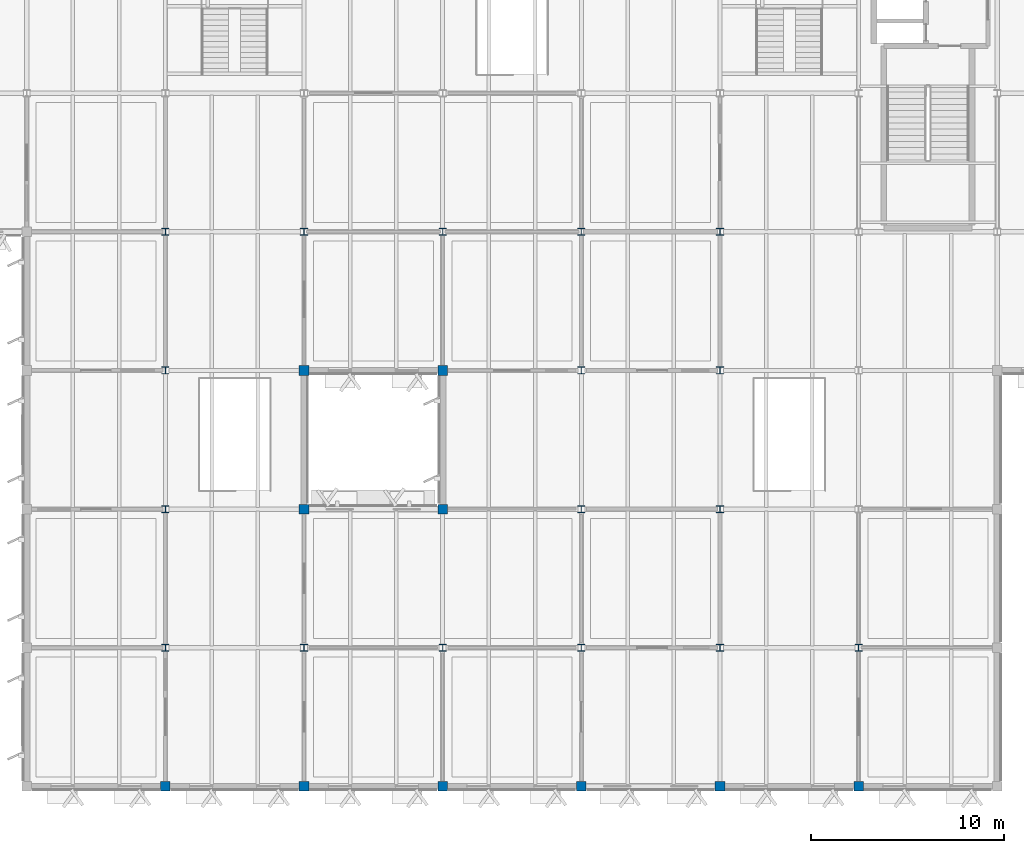
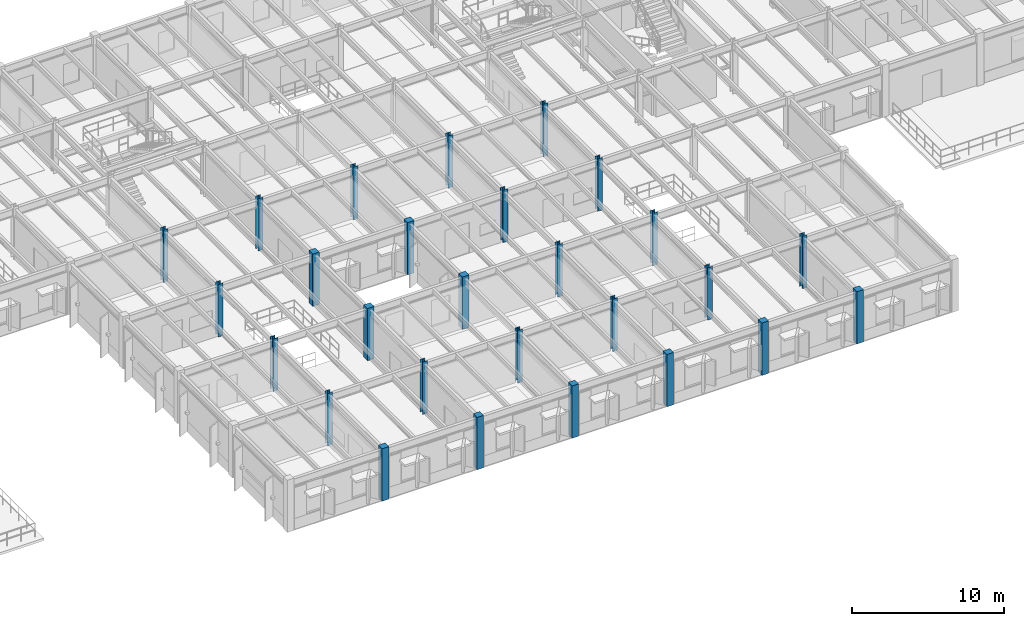
# One storey, part 5 of 85: 27 columns.
"""IFC4 building model written with IfcOpenShell, lengths in metres."""

from ifc_helpers import new_model, si_unit, direction, frame, origin, origin_2d, place, context, subcontext, project, spatial, rectangle, i_section, extrude, material, material_profile, profile_set, type_object, element, save


model = new_model("IFC4")

# Units and contexts
model_context = context("Model", 3, precision=1e-05, world=origin(), true_north=direction((0.0, 1.0)))
body_context = subcontext(model_context, "Body", "Model", "MODEL_VIEW")
ifc_project = project(units=[si_unit("LENGTHUNIT", "METRE"), si_unit("AREAUNIT", "SQUARE_METRE"), si_unit("VOLUMEUNIT", "CUBIC_METRE"), si_unit("PLANEANGLEUNIT", "RADIAN"), si_unit("MASSUNIT", "GRAM", prefix="KILO")], contexts=[model_context])

# Site, building, storey
site_placement = place(None, origin())
site = spatial("IfcSite", under=ifc_project, at=site_placement, CompositionType="ELEMENT")
building_placement = place(site_placement, origin())
building = spatial("IfcBuilding", under=site, at=building_placement, Name="Sillqori Civic Hall", CompositionType="ELEMENT")
storey_placement = place(building_placement, frame((0.0, 0.0, 9.89990234375)))
storey = spatial("IfcBuildingStorey", under=building, at=storey_placement, Name="L03", CompositionType="ELEMENT", Elevation=9.89990234375)

# Columns
ifc_material_1 = material(Name="Concrete C35/45 (H35)", Category="concrete")
ifc_material_profile_1 = material_profile(ifc_material_1, rectangle(XDim=0.5, YDim=0.5, at=origin_2d()), Name="RC 500x500")
ifc_profile_set_1 = profile_set([ifc_material_profile_1], Name="Concrete C35/45 (H35)")
column_type_1 = type_object("IfcColumnType", Name="COL-RC500", PredefinedType="COLUMN", material=ifc_profile_set_1)
for number, where, z_axis, x_axis, name in (
    (1, (72.0, 7.199951171875, 0.0), (0.0, 0.0, 1.0), (1.0, 0.0, 0.0), "L03 column 10-1"),
    (2, (79.199951171875, 7.199951171875, 0.0), (0.0, 0.0, 1.0), (1.0, 0.0, 0.0), "L03 column 11-1"),
    (3, (79.199951171875, 21.60009765625, 0.0), (0.0, 0.0, 1.0), (1.0, 0.0, 0.0), "L03 column 11-3"),
    (4, (79.199951171875, 28.800048828125, 0.0), (0.0, 0.0, 1.0), (1.0, 0.0, 0.0), "L03 column 11-4"),
    (5, (86.39990234375, 7.199951171875, 0.0), (0.0, 0.0, 1.0), (1.0, 0.0, 0.0), "L03 column 12-1"),
    (6, (86.39990234375, 21.60009765625, 0.0), (0.0, 0.0, 1.0), (1.0, 0.0, 0.0), "L03 column 12-3"),
    (7, (86.39990234375, 28.800048828125, 0.0), (0.0, 0.0, 1.0), (1.0, 0.0, 0.0), "L03 column 12-4"),
    (8, (93.60009765625, 7.199951171875, 0.0), (0.0, 0.0, 1.0), (1.0, 0.0, 0.0), "L03 column 13-1"),
    (9, (100.800048828125, 7.199951171875, 0.0), (0.0, 0.0, 1.0), (1.0, 0.0, 0.0), "L03 column 14-1"),
    (10, (108.0, 7.199951171875, 0.0), (0.0, 0.0, 1.0), (1.0, 0.0, 0.0), "L03 column 15-1"),
):
    element("IfcColumn", number, at=place(storey_placement, frame(where, z_axis=z_axis, x_axis=x_axis)), inside=storey, type_object=column_type_1, Name=name, PredefinedType="COLUMN", context=body_context, shape_type="SweptSolid", body=[
        extrude(rectangle(XDim=0.5, YDim=0.5, at=origin_2d()), origin(), (0.0, 0.0, 1.0), 4.2001953125),
    ])
ifc_material_2 = material(Name="Steel ASTM A992", Category="steel")
ifc_material_profile_2 = material_profile(ifc_material_2, i_section(OverallWidth=0.37109375, OverallDepth=0.361083984375, WebThickness=0.012451171875, FlangeThickness=0.019775390625, FilletRadius=0.014892578125, at=origin_2d()), Name="W14X99")
ifc_profile_set_2 = profile_set([ifc_material_profile_2], Name="Steel ASTM A992")
column_type_2 = type_object("IfcColumnType", Name="COL-W14X99", PredefinedType="COLUMN", material=ifc_profile_set_2)
for number, where, z_axis, x_axis, name in (
    (11, (72.0, 14.39990234375, 0.0), (0.0, 0.0, 1.0), (1.0, 0.0, 0.0), "L03 column 10-2"),
    (12, (72.0, 21.60009765625, 0.0), (0.0, 0.0, 1.0), (1.0, 0.0, 0.0), "L03 column 10-3"),
    (13, (72.0, 28.800048828125, 0.0), (0.0, 0.0, 1.0), (1.0, 0.0, 0.0), "L03 column 10-4"),
    (14, (72.0, 36.0, 0.0), (0.0, 0.0, 1.0), (1.0, 0.0, 0.0), "L03 column 10-5"),
    (15, (79.199951171875, 14.39990234375, 0.0), (0.0, 0.0, 1.0), (1.0, 0.0, 0.0), "L03 column 11-2"),
    (16, (79.199951171875, 36.0, 0.0), (0.0, 0.0, 1.0), (1.0, 0.0, 0.0), "L03 column 11-5"),
    (17, (86.39990234375, 14.39990234375, 0.0), (0.0, 0.0, 1.0), (1.0, 0.0, 0.0), "L03 column 12-2"),
    (18, (86.39990234375, 36.0, 0.0), (0.0, 0.0, 1.0), (1.0, 0.0, 0.0), "L03 column 12-5"),
    (19, (93.60009765625, 14.39990234375, 0.0), (0.0, 0.0, 1.0), (1.0, 0.0, 0.0), "L03 column 13-2"),
    (20, (93.60009765625, 21.60009765625, 0.0), (0.0, 0.0, 1.0), (1.0, 0.0, 0.0), "L03 column 13-3"),
    (21, (93.60009765625, 28.800048828125, 0.0), (0.0, 0.0, 1.0), (1.0, 0.0, 0.0), "L03 column 13-4"),
    (22, (93.60009765625, 36.0, 0.0), (0.0, 0.0, 1.0), (1.0, 0.0, 0.0), "L03 column 13-5"),
    (23, (100.800048828125, 14.39990234375, 0.0), (0.0, 0.0, 1.0), (1.0, 0.0, 0.0), "L03 column 14-2"),
    (24, (100.800048828125, 21.60009765625, 0.0), (0.0, 0.0, 1.0), (1.0, 0.0, 0.0), "L03 column 14-3"),
    (25, (100.800048828125, 28.800048828125, 0.0), (0.0, 0.0, 1.0), (1.0, 0.0, 0.0), "L03 column 14-4"),
    (26, (100.800048828125, 36.0, 0.0), (0.0, 0.0, 1.0), (1.0, 0.0, 0.0), "L03 column 14-5"),
    (27, (108.0, 14.39990234375, 0.0), (0.0, 0.0, 1.0), (1.0, 0.0, 0.0), "L03 column 15-2"),
):
    element("IfcColumn", number, at=place(storey_placement, frame(where, z_axis=z_axis, x_axis=x_axis)), inside=storey, type_object=column_type_2, Name=name, PredefinedType="COLUMN", context=body_context, shape_type="SweptSolid", body=[
        extrude(i_section(OverallWidth=0.37109375, OverallDepth=0.361083984375, WebThickness=0.012451171875, FlangeThickness=0.019775390625, FilletRadius=0.014892578125, at=origin_2d()), origin(), (0.0, 0.0, 1.0), 4.2001953125),
    ])

save(model, "model.ifc")
